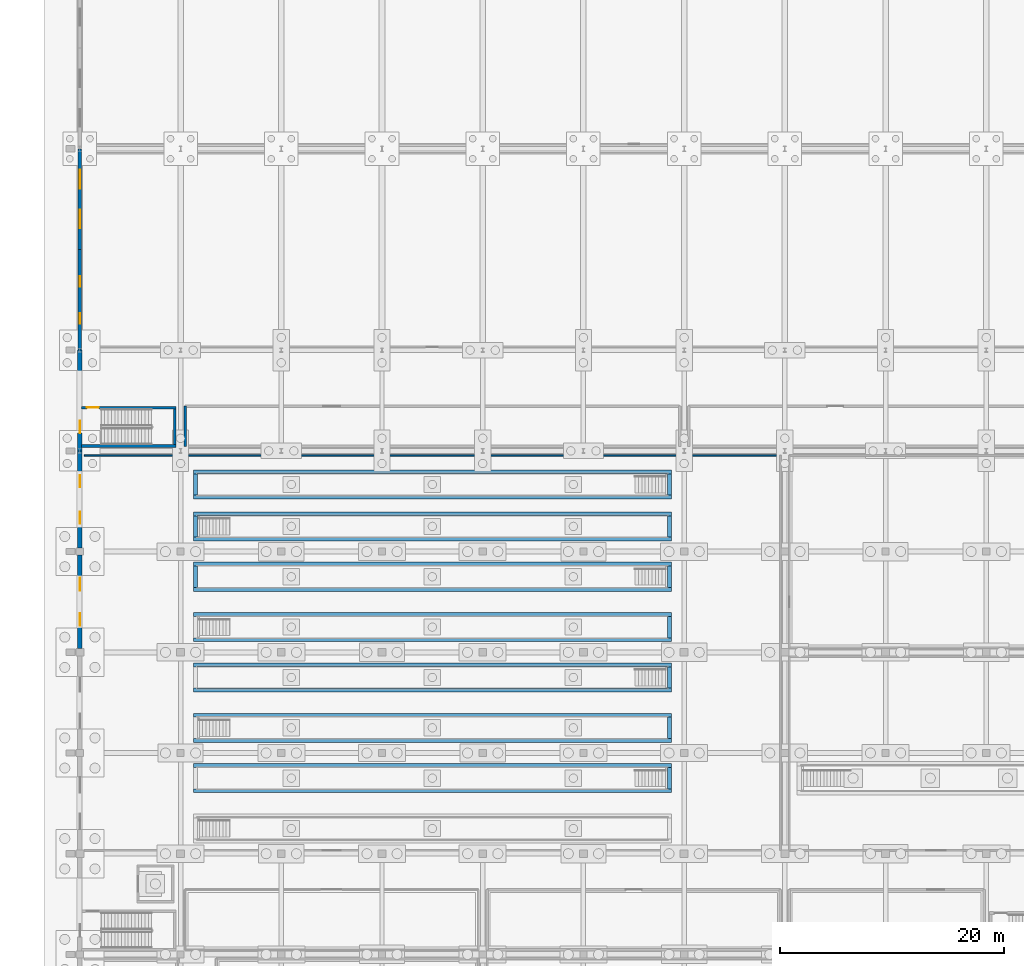
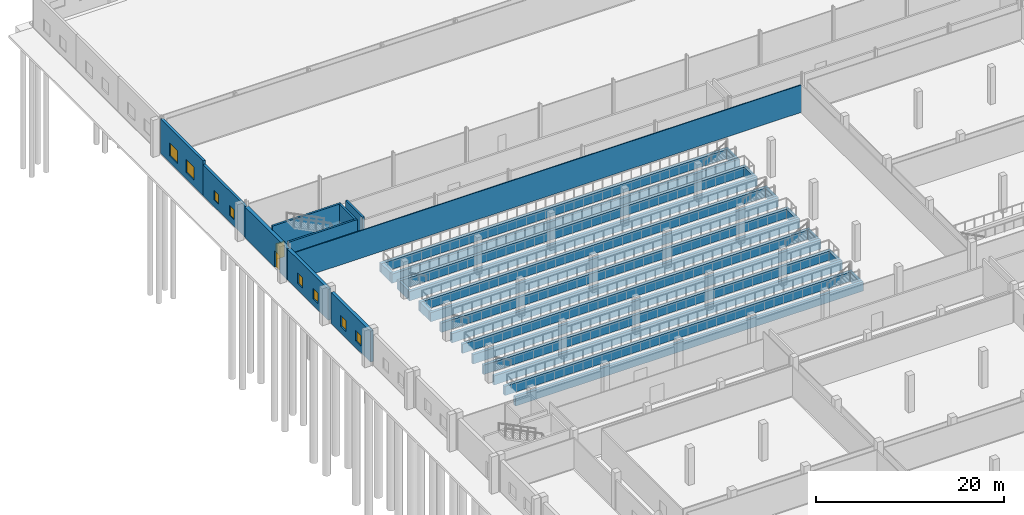
# One storey, part 68 of 112: 34 walls, 8 windows, 2 doors, 10 openings.
"""IFC4 building model written with IfcOpenShell, lengths in metres."""

from ifc_helpers import new_model, si_unit, direction, frame, frame_2d, origin, place, context, subcontext, project, spatial, rectangle, extrude, material, layer, layer_set, type_object, element, fill, save


model = new_model("IFC4")

# Units and contexts
model_context = context("Model", 3, precision=1e-05, world=origin(), true_north=direction((0.0, 1.0)))
body_context = subcontext(model_context, "Body", "Model", "MODEL_VIEW")
ifc_project = project(units=[si_unit("LENGTHUNIT", "METRE"), si_unit("AREAUNIT", "SQUARE_METRE"), si_unit("VOLUMEUNIT", "CUBIC_METRE"), si_unit("PLANEANGLEUNIT", "RADIAN"), si_unit("MASSUNIT", "GRAM", prefix="KILO")], contexts=[model_context])

# Site, building, storey
site_placement = place(None, origin())
site = spatial("IfcSite", under=ifc_project, at=site_placement, CompositionType="ELEMENT")
building_placement = place(site_placement, origin())
building = spatial("IfcBuilding", under=site, at=building_placement, Name="Tharagai Park Tramway Depot", CompositionType="ELEMENT")
storey_placement = place(building_placement, origin())
storey = spatial("IfcBuildingStorey", under=building, at=storey_placement, Name="L00", CompositionType="ELEMENT", Elevation=0.0)

# Wall, openings, windows
ifc_material_1 = material(Name="Charnockite stone", Category="masonry")
ifc_layer_1 = layer(ifc_material_1, 0.3798828125)
ifc_layer_set_1 = layer_set([ifc_layer_1], Name="Charnockite stone")
wall_type_1 = type_object("IfcWallType", Name="EW-01", PredefinedType="SOLIDWALL", material=ifc_layer_set_1)
wall_1_placement = place(storey_placement, frame((0.0, 72.347900390625, 0.0), z_axis=(0.0, 0.0, 1.0), x_axis=(0.0, 1.0, 0.0)))
wall_1 = element("IfcWall", 1, at=wall_1_placement, inside=storey, type_object=wall_type_1, Name="L00 V2 Exterior Masonry Wall EW-01", PredefinedType="SOLIDWALL", context=body_context, shape_type="SweptSolid", body=[
    extrude(rectangle(XDim=8.3291015625, YDim=0.3798828125, at=frame_2d((4.16455078125, 0.0))), origin(), (0.0, 0.0, 1.0), 4.011962890625),
])
opening_1_placement = place(wall_1_placement, frame((2.0029296875, 0.0, 0.85009765625)))
opening_1 = element("IfcOpeningElement", 2, at=opening_1_placement, cuts=wall_1, Name="Opening WN-42", PredefinedType="OPENING", context=body_context, shape_type="SweptSolid", body=[
    extrude(rectangle(XDim=1.159912109375, YDim=1.39990234375, at=frame_2d((0.580078125, 0.699951171875))), frame((0.0, 0.199951171875, 0.0), z_axis=(0.0, -1.0, 0.0), x_axis=(1.0, 0.0, 0.0)), (0.0, 0.0, 1.0), 0.39990234375),
])
opening_2_placement = place(wall_1_placement, frame((5.166015625, 0.0, 0.85009765625)))
opening_2 = element("IfcOpeningElement", 3, at=opening_2_placement, cuts=wall_1, Name="Opening WN-42", PredefinedType="OPENING", context=body_context, shape_type="SweptSolid", body=[
    extrude(rectangle(XDim=1.159912109375, YDim=1.39990234375, at=frame_2d((0.580078125, 0.699951171875))), frame((0.0, 0.199951171875, 0.0), z_axis=(0.0, -1.0, 0.0), x_axis=(1.0, 0.0, 0.0)), (0.0, 0.0, 1.0), 0.39990234375),
])
ifc_material_2 = material(Name="Laminated solar-control glass", Category="glass")
window_type_1 = type_object("IfcWindowType", Name="WN-42", PartitioningType="SINGLE_PANEL", PredefinedType="WINDOW", material=ifc_material_2)
window_1_placement = place(opening_1_placement, origin())
window_1 = element("IfcWindow", 4, at=window_1_placement, inside=storey, type_object=window_type_1, Name="L00 V2 Side Lancet Window WN-42", OverallHeight=1.39990234375, OverallWidth=1.159912109375, PartitioningType="SINGLE_PANEL", PredefinedType="WINDOW", context=body_context, shape_type="SweptSolid", body=[
    extrude(rectangle(XDim=1.159912109375, YDim=1.39990234375, at=frame_2d((0.580078125, 0.699951171875))), frame((0.0, 0.030029296875, 0.0), z_axis=(0.0, -1.0, 0.0), x_axis=(1.0, 0.0, 0.0)), (0.0, 0.0, 1.0), 0.06005859375),
])
fill(opening_1, window_1)
window_2_placement = place(opening_2_placement, origin())
window_2 = element("IfcWindow", 5, at=window_2_placement, inside=storey, type_object=window_type_1, Name="L00 V2 Side Lancet Window WN-42", OverallHeight=1.39990234375, OverallWidth=1.159912109375, PartitioningType="SINGLE_PANEL", PredefinedType="WINDOW", context=body_context, shape_type="SweptSolid", body=[
    extrude(rectangle(XDim=1.159912109375, YDim=1.39990234375, at=frame_2d((0.580078125, 0.699951171875))), frame((0.0, 0.030029296875, 0.0), z_axis=(0.0, -1.0, 0.0), x_axis=(1.0, 0.0, 0.0)), (0.0, 0.0, 1.0), 0.06005859375),
])
fill(opening_2, window_2)

wall_2_placement = place(storey_placement, frame((0.0, 81.322998046875, 0.0), z_axis=(0.0, 0.0, 1.0), x_axis=(0.0, 1.0, 0.0)))
wall_2 = element("IfcWall", 6, at=wall_2_placement, inside=storey, type_object=wall_type_1, Name="L00 V2 Exterior Masonry Wall EW-01", PredefinedType="SOLIDWALL", context=body_context, shape_type="SweptSolid", body=[
    extrude(rectangle(XDim=8.673095703125, YDim=0.3798828125, at=frame_2d((4.33642578125, 0.0))), origin(), (0.0, 0.0, 1.0), 4.011962890625),
])
opening_3_placement = place(wall_2_placement, frame((2.18408203125, 0.0, 0.85009765625)))
opening_3 = element("IfcOpeningElement", 7, at=opening_3_placement, cuts=wall_2, Name="Opening WN-54", PredefinedType="OPENING", context=body_context, shape_type="SweptSolid", body=[
    extrude(rectangle(XDim=1.06005859375, YDim=1.35009765625, at=frame_2d((0.530029296875, 0.675048828125))), frame((0.0, 0.199951171875, 0.0), z_axis=(0.0, -1.0, 0.0), x_axis=(1.0, 0.0, 0.0)), (0.0, 0.0, 1.0), 0.39990234375),
])
opening_4_placement = place(wall_2_placement, frame((5.428955078125, 0.0, 0.85009765625)))
opening_4 = element("IfcOpeningElement", 8, at=opening_4_placement, cuts=wall_2, Name="Opening WN-54", PredefinedType="OPENING", context=body_context, shape_type="SweptSolid", body=[
    extrude(rectangle(XDim=1.06005859375, YDim=1.35009765625, at=frame_2d((0.530029296875, 0.675048828125))), frame((0.0, 0.199951171875, 0.0), z_axis=(0.0, -1.0, 0.0), x_axis=(1.0, 0.0, 0.0)), (0.0, 0.0, 1.0), 0.39990234375),
])
window_type_2 = type_object("IfcWindowType", Name="WN-54", PartitioningType="SINGLE_PANEL", PredefinedType="WINDOW", material=ifc_material_2)
window_3_placement = place(opening_3_placement, origin())
window_3 = element("IfcWindow", 9, at=window_3_placement, inside=storey, type_object=window_type_2, Name="L00 V2 Side Lancet Window WN-54", OverallHeight=1.35009765625, OverallWidth=1.06005859375, PartitioningType="SINGLE_PANEL", PredefinedType="WINDOW", context=body_context, shape_type="SweptSolid", body=[
    extrude(rectangle(XDim=1.06005859375, YDim=1.35009765625, at=frame_2d((0.530029296875, 0.675048828125))), frame((0.0, 0.030029296875, 0.0), z_axis=(0.0, -1.0, 0.0), x_axis=(1.0, 0.0, 0.0)), (0.0, 0.0, 1.0), 0.06005859375),
])
fill(opening_3, window_3)
window_4_placement = place(opening_4_placement, origin())
window_4 = element("IfcWindow", 10, at=window_4_placement, inside=storey, type_object=window_type_2, Name="L00 V2 Side Lancet Window WN-54", OverallHeight=1.35009765625, OverallWidth=1.06005859375, PartitioningType="SINGLE_PANEL", PredefinedType="WINDOW", context=body_context, shape_type="SweptSolid", body=[
    extrude(rectangle(XDim=1.06005859375, YDim=1.35009765625, at=frame_2d((0.530029296875, 0.675048828125))), frame((0.0, 0.030029296875, 0.0), z_axis=(0.0, -1.0, 0.0), x_axis=(1.0, 0.0, 0.0)), (0.0, 0.0, 1.0), 0.06005859375),
])
fill(opening_4, window_4)

# Wall, opening, door
ifc_layer_2 = layer(ifc_material_1, 0.419921875)
ifc_layer_set_2 = layer_set([ifc_layer_2], Name="Charnockite stone")
wall_type_2 = type_object("IfcWallType", Name="EW-07", PredefinedType="SOLIDWALL", material=ifc_layer_set_2)
wall_3_placement = place(storey_placement, frame((0.0, 90.00390625, 0.0), z_axis=(0.0, 0.0, 1.0), x_axis=(0.0, 1.0, 0.0)))
wall_3 = element("IfcWall", 11, at=wall_3_placement, inside=storey, type_object=wall_type_2, Name="L00 V1 Exterior Masonry Wall EW-07", PredefinedType="SOLIDWALL", context=body_context, shape_type="SweptSolid", body=[
    extrude(rectangle(XDim=8.9921875, YDim=0.419921875, at=frame_2d((4.49609375, 0.0))), origin(), (0.0, 0.0, 1.0), 4.011962890625),
])
opening_5_placement = place(wall_3_placement, frame((1.575927734375, 0.0, 0.0)))
opening_5 = element("IfcOpeningElement", 12, at=opening_5_placement, cuts=wall_3, Name="Opening ED-08", PredefinedType="OPENING", context=body_context, shape_type="SweptSolid", body=[
    extrude(rectangle(XDim=1.1201171875, YDim=2.139892578125, at=frame_2d((0.56005859375, 1.06982421875))), frame((0.0, 0.219970703125, 0.0), z_axis=(0.0, -1.0, 0.0), x_axis=(1.0, 0.0, 0.0)), (0.0, 0.0, 1.0), 0.43994140625),
])
ifc_material_3 = material(Name="Anodised aluminium", Category="aluminium")
door_type_1 = type_object("IfcDoorType", Name="ED-08", OperationType="NOTDEFINED", PredefinedType="DOOR", material=ifc_material_3)
door_1_placement = place(opening_5_placement, origin())
door_1 = element("IfcDoor", 13, at=door_1_placement, inside=storey, type_object=door_type_1, Name="Core C10 Final Exit Door", OperationType="SINGLE_SWING_LEFT", OverallHeight=2.139892578125, OverallWidth=1.1201171875, PredefinedType="DOOR", context=body_context, shape_type="SweptSolid", body=[
    extrude(rectangle(XDim=1.1201171875, YDim=2.139892578125, at=frame_2d((0.56005859375, 1.06982421875))), frame((0.0, 0.02490234375, 0.0), z_axis=(0.0, -1.0, 0.0), x_axis=(1.0, 0.0, 0.0)), (0.0, 0.0, 1.0), 0.050048828125),
])
fill(opening_5, door_1)

# Wall, openings, windows
ifc_material_4 = material(Name="Pressed clay brick", Category="masonry")
ifc_layer_3 = layer(ifc_material_4, 0.300048828125)
ifc_layer_set_3 = layer_set([ifc_layer_3], Name="Pressed clay brick")
wall_type_3 = type_object("IfcWallType", Name="EW-08", PredefinedType="SOLIDWALL", material=ifc_layer_set_3)
wall_4_placement = place(storey_placement, frame((0.0, 99.00390625, 0.0), z_axis=(0.0, 0.0, 1.0), x_axis=(0.0, 1.0, 0.0)))
wall_4 = element("IfcWall", 14, at=wall_4_placement, inside=storey, type_object=wall_type_3, Name="L00 V1 Exterior Masonry Wall EW-08", PredefinedType="SOLIDWALL", context=body_context, shape_type="SweptSolid", body=[
    extrude(rectangle(XDim=8.99609375, YDim=0.300048828125, at=frame_2d((4.498046875, 0.0))), origin(), (0.0, 0.0, 1.0), 4.011962890625),
])
opening_6_placement = place(wall_4_placement, frame((2.3720703125, 0.0, 0.85009765625)))
opening_6 = element("IfcOpeningElement", 15, at=opening_6_placement, cuts=wall_4, Name="Opening WN-45", PredefinedType="OPENING", context=body_context, shape_type="SweptSolid", body=[
    extrude(rectangle(XDim=0.93994140625, YDim=1.280029296875, at=frame_2d((0.469970703125, 0.64013671875))), frame((0.0, 0.159912109375, 0.0), z_axis=(0.0, -1.0, 0.0), x_axis=(1.0, 0.0, 0.0)), (0.0, 0.0, 1.0), 0.320068359375),
])
opening_7_placement = place(wall_4_placement, frame((5.68408203125, 0.0, 0.85009765625)))
opening_7 = element("IfcOpeningElement", 16, at=opening_7_placement, cuts=wall_4, Name="Opening WN-45", PredefinedType="OPENING", context=body_context, shape_type="SweptSolid", body=[
    extrude(rectangle(XDim=0.93994140625, YDim=1.280029296875, at=frame_2d((0.469970703125, 0.64013671875))), frame((0.0, 0.159912109375, 0.0), z_axis=(0.0, -1.0, 0.0), x_axis=(1.0, 0.0, 0.0)), (0.0, 0.0, 1.0), 0.320068359375),
])
window_type_3 = type_object("IfcWindowType", Name="WN-45", PartitioningType="SINGLE_PANEL", PredefinedType="WINDOW", material=ifc_material_2)
window_5_placement = place(opening_6_placement, origin())
window_5 = element("IfcWindow", 17, at=window_5_placement, inside=storey, type_object=window_type_3, Name="L00 V1 Side Lancet Window WN-45", OverallHeight=1.280029296875, OverallWidth=0.93994140625, PartitioningType="SINGLE_PANEL", PredefinedType="WINDOW", context=body_context, shape_type="SweptSolid", body=[
    extrude(rectangle(XDim=0.93994140625, YDim=1.280029296875, at=frame_2d((0.469970703125, 0.64013671875))), frame((0.0, 0.030029296875, 0.0), z_axis=(0.0, -1.0, 0.0), x_axis=(1.0, 0.0, 0.0)), (0.0, 0.0, 1.0), 0.06005859375),
])
fill(opening_6, window_5)
window_6_placement = place(opening_7_placement, origin())
window_6 = element("IfcWindow", 18, at=window_6_placement, inside=storey, type_object=window_type_3, Name="L00 V1 Side Lancet Window WN-45", OverallHeight=1.280029296875, OverallWidth=0.93994140625, PartitioningType="SINGLE_PANEL", PredefinedType="WINDOW", context=body_context, shape_type="SweptSolid", body=[
    extrude(rectangle(XDim=0.93994140625, YDim=1.280029296875, at=frame_2d((0.469970703125, 0.64013671875))), frame((0.0, 0.030029296875, 0.0), z_axis=(0.0, -1.0, 0.0), x_axis=(1.0, 0.0, 0.0)), (0.0, 0.0, 1.0), 0.06005859375),
])
fill(opening_7, window_6)

wall_5_placement = place(storey_placement, frame((0.0, 108.0, 0.0), z_axis=(0.0, 0.0, 1.0), x_axis=(0.0, 1.0, 0.0)))
wall_5 = element("IfcWall", 19, at=wall_5_placement, inside=storey, type_object=wall_type_3, Name="L00 V1 Exterior Masonry Wall EW-08", PredefinedType="SOLIDWALL", context=body_context, shape_type="SweptSolid", body=[
    extrude(rectangle(XDim=8.99609375, YDim=0.300048828125, at=frame_2d((4.498046875, 0.0))), origin(), (0.0, 0.0, 1.0), 4.491943359375),
])
opening_8_placement = place(wall_5_placement, frame((1.87890625, 0.0, 0.85009765625)))
opening_8 = element("IfcOpeningElement", 20, at=opening_8_placement, cuts=wall_5, Name="Opening WN-38", PredefinedType="OPENING", context=body_context, shape_type="SweptSolid", body=[
    extrude(rectangle(XDim=1.679931640625, YDim=1.659912109375, at=frame_2d((0.83984375, 0.830078125))), frame((0.0, 0.159912109375, 0.0), z_axis=(0.0, -1.0, 0.0), x_axis=(1.0, 0.0, 0.0)), (0.0, 0.0, 1.0), 0.320068359375),
])
opening_9_placement = place(wall_5_placement, frame((5.43701171875, 0.0, 0.85009765625)))
opening_9 = element("IfcOpeningElement", 21, at=opening_9_placement, cuts=wall_5, Name="Opening WN-38", PredefinedType="OPENING", context=body_context, shape_type="SweptSolid", body=[
    extrude(rectangle(XDim=1.679931640625, YDim=1.659912109375, at=frame_2d((0.83984375, 0.830078125))), frame((0.0, 0.159912109375, 0.0), z_axis=(0.0, -1.0, 0.0), x_axis=(1.0, 0.0, 0.0)), (0.0, 0.0, 1.0), 0.320068359375),
])
window_type_4 = type_object("IfcWindowType", Name="WN-38", PartitioningType="SINGLE_PANEL", PredefinedType="WINDOW", material=ifc_material_2)
window_7_placement = place(opening_8_placement, origin())
window_7 = element("IfcWindow", 22, at=window_7_placement, inside=storey, type_object=window_type_4, Name="L00 V1 Side Lancet Window WN-38", OverallHeight=1.659912109375, OverallWidth=1.679931640625, PartitioningType="SINGLE_PANEL", PredefinedType="WINDOW", context=body_context, shape_type="SweptSolid", body=[
    extrude(rectangle(XDim=1.679931640625, YDim=1.659912109375, at=frame_2d((0.83984375, 0.830078125))), frame((0.0, 0.030029296875, 0.0), z_axis=(0.0, -1.0, 0.0), x_axis=(1.0, 0.0, 0.0)), (0.0, 0.0, 1.0), 0.06005859375),
])
fill(opening_8, window_7)
window_8_placement = place(opening_9_placement, origin())
window_8 = element("IfcWindow", 23, at=window_8_placement, inside=storey, type_object=window_type_4, Name="L00 V1 Side Lancet Window WN-38", OverallHeight=1.659912109375, OverallWidth=1.679931640625, PartitioningType="SINGLE_PANEL", PredefinedType="WINDOW", context=body_context, shape_type="SweptSolid", body=[
    extrude(rectangle(XDim=1.679931640625, YDim=1.659912109375, at=frame_2d((0.83984375, 0.830078125))), frame((0.0, 0.030029296875, 0.0), z_axis=(0.0, -1.0, 0.0), x_axis=(1.0, 0.0, 0.0)), (0.0, 0.0, 1.0), 0.06005859375),
])
fill(opening_9, window_8)

# Walls
ifc_material_5 = material(Name="Gypsum board", Category="gypsum")
ifc_layer_4 = layer(ifc_material_5, 0.1201171875)
ifc_layer_set_4 = layer_set([ifc_layer_4], Name="Gypsum board")
wall_type_4 = type_object("IfcWallType", Name="IW-03", PredefinedType="PARTITIONING", material=ifc_layer_set_4)
wall_6_placement = place(storey_placement, frame((0.39990234375, 89.60009765625, 0.0), z_axis=(0.0, 0.0, 1.0), x_axis=(1.0, 0.0, 0.0)))
element("IfcWall", 24, at=wall_6_placement, inside=storey, type_object=wall_type_4, Name="Maintenance Hall and Inspection Pit Bays Partition North", PredefinedType="PARTITIONING", context=body_context, shape_type="SweptSolid", body=[
    extrude(rectangle(XDim=62.2001953125, YDim=0.1201171875, at=frame_2d((31.10009765625, 0.0))), origin(), (0.0, 0.0, 1.0), 3.56494140625),
])
ifc_layer_5 = layer(ifc_material_4, 0.219970703125)
ifc_layer_set_5 = layer_set([ifc_layer_5], Name="Pressed clay brick")
wall_type_5 = type_object("IfcWallType", Name="IW-05", PredefinedType="SOLIDWALL", material=ifc_layer_set_5)
wall_7_placement = place(storey_placement, frame((9.39990234375, 90.39990234375, 0.0), z_axis=(0.0, 0.0, 1.0), x_axis=(0.0, 1.0, 0.0)))
element("IfcWall", 25, at=wall_7_placement, inside=storey, type_object=wall_type_5, Name="Electric Bus Opportunity Charging Hall West Partition West", PredefinedType="SOLIDWALL", context=body_context, shape_type="SweptSolid", body=[
    extrude(rectangle(XDim=3.60009765625, YDim=0.219970703125, at=frame_2d((1.800048828125, 0.0))), origin(), (0.0, 0.0, 1.0), 4.550048828125),
])
ifc_material_6 = material(Name="Concrete M40", Category="concrete")
ifc_layer_6 = layer(ifc_material_6, 0.35009765625)
ifc_layer_set_6 = layer_set([ifc_layer_6], Name="Concrete M40")
wall_type_6 = type_object("IfcWallType", Name="PW-02", PredefinedType="SOLIDWALL", material=ifc_layer_set_6)
for number, where, z_axis, x_axis, name in (
    (26, (10.14990234375, 59.625, -1.5), (0.0, 0.0, 1.0), (1.0, 0.0, 0.0), "Inspection Pit Track 2 Retaining Wall S"),
    (27, (10.14990234375, 61.875, -1.5), (0.0, 0.0, 1.0), (1.0, 0.0, 0.0), "Inspection Pit Track 2 Retaining Wall N"),
):
    element("IfcWall", number, at=place(storey_placement, frame(where, z_axis=z_axis, x_axis=x_axis)), inside=storey, type_object=wall_type_6, Name=name, PredefinedType="SOLIDWALL", context=body_context, shape_type="SweptSolid", body=[
        extrude(rectangle(XDim=42.7001953125, YDim=0.35009765625, at=frame_2d((21.35009765625, 0.0))), origin(), (0.0, 0.0, 1.0), 1.199951171875),
    ])
wall_8_placement = place(storey_placement, frame((52.675048828125, 59.800048828125, -1.5), z_axis=(0.0, 0.0, 1.0), x_axis=(0.0, 1.0, 0.0)))
element("IfcWall", 28, at=wall_8_placement, inside=storey, type_object=wall_type_6, Name="Inspection Pit Track 2 Retaining Wall E", PredefinedType="SOLIDWALL", context=body_context, shape_type="SweptSolid", body=[
    extrude(rectangle(XDim=1.89990234375, YDim=0.35009765625, at=frame_2d((0.949951171875, 0.0))), origin(), (0.0, 0.0, 1.0), 1.199951171875),
])
for number, where, z_axis, x_axis, name in (
    (29, (10.14990234375, 64.125, -1.5), (0.0, 0.0, 1.0), (1.0, 0.0, 0.0), "Inspection Pit Track 3 Retaining Wall S"),
    (30, (10.14990234375, 66.375, -1.5), (0.0, 0.0, 1.0), (1.0, 0.0, 0.0), "Inspection Pit Track 3 Retaining Wall N"),
):
    element("IfcWall", number, at=place(storey_placement, frame(where, z_axis=z_axis, x_axis=x_axis)), inside=storey, type_object=wall_type_6, Name=name, PredefinedType="SOLIDWALL", context=body_context, shape_type="SweptSolid", body=[
        extrude(rectangle(XDim=42.7001953125, YDim=0.35009765625, at=frame_2d((21.35009765625, 0.0))), origin(), (0.0, 0.0, 1.0), 1.199951171875),
    ])
wall_9_placement = place(storey_placement, frame((52.675048828125, 64.300048828125, -1.5), z_axis=(0.0, 0.0, 1.0), x_axis=(0.0, 1.0, 0.0)))
element("IfcWall", 31, at=wall_9_placement, inside=storey, type_object=wall_type_6, Name="Inspection Pit Track 3 Retaining Wall E", PredefinedType="SOLIDWALL", context=body_context, shape_type="SweptSolid", body=[
    extrude(rectangle(XDim=1.89990234375, YDim=0.35009765625, at=frame_2d((0.949951171875, 0.0))), origin(), (0.0, 0.0, 1.0), 1.199951171875),
])
for number, where, z_axis, x_axis, name in (
    (32, (10.14990234375, 68.625, -1.5), (0.0, 0.0, 1.0), (1.0, 0.0, 0.0), "Inspection Pit Track 4 Retaining Wall S"),
    (33, (10.14990234375, 70.875, -1.5), (0.0, 0.0, 1.0), (1.0, 0.0, 0.0), "Inspection Pit Track 4 Retaining Wall N"),
):
    element("IfcWall", number, at=place(storey_placement, frame(where, z_axis=z_axis, x_axis=x_axis)), inside=storey, type_object=wall_type_6, Name=name, PredefinedType="SOLIDWALL", context=body_context, shape_type="SweptSolid", body=[
        extrude(rectangle(XDim=42.7001953125, YDim=0.35009765625, at=frame_2d((21.35009765625, 0.0))), origin(), (0.0, 0.0, 1.0), 1.199951171875),
    ])
wall_10_placement = place(storey_placement, frame((52.675048828125, 68.800048828125, -1.5), z_axis=(0.0, 0.0, 1.0), x_axis=(0.0, 1.0, 0.0)))
element("IfcWall", 34, at=wall_10_placement, inside=storey, type_object=wall_type_6, Name="Inspection Pit Track 4 Retaining Wall E", PredefinedType="SOLIDWALL", context=body_context, shape_type="SweptSolid", body=[
    extrude(rectangle(XDim=1.89990234375, YDim=0.35009765625, at=frame_2d((0.949951171875, 0.0))), origin(), (0.0, 0.0, 1.0), 1.199951171875),
])
for number, where, z_axis, x_axis, name in (
    (35, (10.14990234375, 73.125, -1.5), (0.0, 0.0, 1.0), (1.0, 0.0, 0.0), "Inspection Pit Track 5 Retaining Wall S"),
    (36, (10.14990234375, 75.375, -1.5), (0.0, 0.0, 1.0), (1.0, 0.0, 0.0), "Inspection Pit Track 5 Retaining Wall N"),
):
    element("IfcWall", number, at=place(storey_placement, frame(where, z_axis=z_axis, x_axis=x_axis)), inside=storey, type_object=wall_type_6, Name=name, PredefinedType="SOLIDWALL", context=body_context, shape_type="SweptSolid", body=[
        extrude(rectangle(XDim=42.7001953125, YDim=0.35009765625, at=frame_2d((21.35009765625, 0.0))), origin(), (0.0, 0.0, 1.0), 1.199951171875),
    ])
wall_11_placement = place(storey_placement, frame((52.675048828125, 73.300048828125, -1.5), z_axis=(0.0, 0.0, 1.0), x_axis=(0.0, 1.0, 0.0)))
element("IfcWall", 37, at=wall_11_placement, inside=storey, type_object=wall_type_6, Name="Inspection Pit Track 5 Retaining Wall E", PredefinedType="SOLIDWALL", context=body_context, shape_type="SweptSolid", body=[
    extrude(rectangle(XDim=1.89990234375, YDim=0.35009765625, at=frame_2d((0.949951171875, 0.0))), origin(), (0.0, 0.0, 1.0), 1.199951171875),
])
for number, where, z_axis, x_axis, name in (
    (38, (10.14990234375, 77.625, -1.5), (0.0, 0.0, 1.0), (1.0, 0.0, 0.0), "Inspection Pit Track 6 Retaining Wall S"),
    (39, (10.14990234375, 79.875, -1.5), (0.0, 0.0, 1.0), (1.0, 0.0, 0.0), "Inspection Pit Track 6 Retaining Wall N"),
):
    element("IfcWall", number, at=place(storey_placement, frame(where, z_axis=z_axis, x_axis=x_axis)), inside=storey, type_object=wall_type_6, Name=name, PredefinedType="SOLIDWALL", context=body_context, shape_type="SweptSolid", body=[
        extrude(rectangle(XDim=42.7001953125, YDim=0.35009765625, at=frame_2d((21.35009765625, 0.0))), origin(), (0.0, 0.0, 1.0), 1.199951171875),
    ])
for number, where, z_axis, x_axis, name in (
    (40, (10.324951171875, 77.800048828125, -1.5), (0.0, 0.0, 1.0), (0.0, 1.0, 0.0), "Inspection Pit Track 6 Retaining Wall W"),
    (41, (52.675048828125, 77.800048828125, -1.5), (0.0, 0.0, 1.0), (0.0, 1.0, 0.0), "Inspection Pit Track 6 Retaining Wall E"),
):
    element("IfcWall", number, at=place(storey_placement, frame(where, z_axis=z_axis, x_axis=x_axis)), inside=storey, type_object=wall_type_6, Name=name, PredefinedType="SOLIDWALL", context=body_context, shape_type="SweptSolid", body=[
        extrude(rectangle(XDim=1.89990234375, YDim=0.35009765625, at=frame_2d((0.949951171875, 0.0))), origin(), (0.0, 0.0, 1.0), 1.199951171875),
    ])
for number, where, z_axis, x_axis, name in (
    (42, (10.14990234375, 82.125, -1.5), (0.0, 0.0, 1.0), (1.0, 0.0, 0.0), "Inspection Pit Track 7 Retaining Wall S"),
    (43, (10.14990234375, 84.375, -1.5), (0.0, 0.0, 1.0), (1.0, 0.0, 0.0), "Inspection Pit Track 7 Retaining Wall N"),
):
    element("IfcWall", number, at=place(storey_placement, frame(where, z_axis=z_axis, x_axis=x_axis)), inside=storey, type_object=wall_type_6, Name=name, PredefinedType="SOLIDWALL", context=body_context, shape_type="SweptSolid", body=[
        extrude(rectangle(XDim=42.7001953125, YDim=0.35009765625, at=frame_2d((21.35009765625, 0.0))), origin(), (0.0, 0.0, 1.0), 1.199951171875),
    ])
for number, where, z_axis, x_axis, name in (
    (44, (10.324951171875, 82.300048828125, -1.5), (0.0, 0.0, 1.0), (0.0, 1.0, 0.0), "Inspection Pit Track 7 Retaining Wall W"),
    (45, (52.675048828125, 82.300048828125, -1.5), (0.0, 0.0, 1.0), (0.0, 1.0, 0.0), "Inspection Pit Track 7 Retaining Wall E"),
):
    element("IfcWall", number, at=place(storey_placement, frame(where, z_axis=z_axis, x_axis=x_axis)), inside=storey, type_object=wall_type_6, Name=name, PredefinedType="SOLIDWALL", context=body_context, shape_type="SweptSolid", body=[
        extrude(rectangle(XDim=1.89990234375, YDim=0.35009765625, at=frame_2d((0.949951171875, 0.0))), origin(), (0.0, 0.0, 1.0), 1.199951171875),
    ])
for number, where, z_axis, x_axis, name in (
    (46, (10.14990234375, 85.875, -1.5), (0.0, 0.0, 1.0), (1.0, 0.0, 0.0), "Inspection Pit Track 8 Retaining Wall S"),
    (47, (10.14990234375, 88.125, -1.5), (0.0, 0.0, 1.0), (1.0, 0.0, 0.0), "Inspection Pit Track 8 Retaining Wall N"),
):
    element("IfcWall", number, at=place(storey_placement, frame(where, z_axis=z_axis, x_axis=x_axis)), inside=storey, type_object=wall_type_6, Name=name, PredefinedType="SOLIDWALL", context=body_context, shape_type="SweptSolid", body=[
        extrude(rectangle(XDim=42.7001953125, YDim=0.35009765625, at=frame_2d((21.35009765625, 0.0))), origin(), (0.0, 0.0, 1.0), 1.199951171875),
    ])
for number, where, z_axis, x_axis, name in (
    (48, (10.324951171875, 86.050048828125, -1.5), (0.0, 0.0, 1.0), (0.0, 1.0, 0.0), "Inspection Pit Track 8 Retaining Wall W"),
    (49, (52.675048828125, 86.050048828125, -1.5), (0.0, 0.0, 1.0), (0.0, 1.0, 0.0), "Inspection Pit Track 8 Retaining Wall E"),
):
    element("IfcWall", number, at=place(storey_placement, frame(where, z_axis=z_axis, x_axis=x_axis)), inside=storey, type_object=wall_type_6, Name=name, PredefinedType="SOLIDWALL", context=body_context, shape_type="SweptSolid", body=[
        extrude(rectangle(XDim=1.89990234375, YDim=0.35009765625, at=frame_2d((0.949951171875, 0.0))), origin(), (0.0, 0.0, 1.0), 1.199951171875),
    ])
ifc_layer_7 = layer(ifc_material_6, 0.239990234375)
ifc_layer_set_7 = layer_set([ifc_layer_7], Name="Concrete M40")
wall_type_7 = type_object("IfcWallType", Name="SW-01", PredefinedType="SHEAR", material=ifc_layer_set_7)
wall_12_placement = place(storey_placement, frame((0.159912109375, 90.429931640625, 0.0), z_axis=(0.0, 0.0, 1.0), x_axis=(1.0, 0.0, 0.0)))
element("IfcWall", 50, at=wall_12_placement, inside=storey, type_object=wall_type_7, Name="Core C10 L00 Shear Wall South", PredefinedType="SHEAR", context=body_context, shape_type="SweptSolid", body=[
    extrude(rectangle(XDim=8.440185546875, YDim=0.239990234375, at=frame_2d((4.22021484375, 0.0))), origin(), (0.0, 0.0, 1.0), 4.550048828125),
])

# Wall, opening, door
wall_13_placement = place(storey_placement, frame((0.159912109375, 93.860107421875, 0.0), z_axis=(0.0, 0.0, 1.0), x_axis=(1.0, 0.0, 0.0)))
wall_13 = element("IfcWall", 51, at=wall_13_placement, inside=storey, type_object=wall_type_7, Name="Core C10 L00 Shear Wall North", PredefinedType="SHEAR", context=body_context, shape_type="SweptSolid", body=[
    extrude(rectangle(XDim=8.440185546875, YDim=0.239990234375, at=frame_2d((4.22021484375, 0.0))), origin(), (0.0, 0.0, 1.0), 4.550048828125),
])
opening_10_placement = place(wall_13_placement, frame((0.4599609375, 0.0, 0.0)))
opening_10 = element("IfcOpeningElement", 52, at=opening_10_placement, cuts=wall_13, Name="Opening ID-05", PredefinedType="OPENING", context=body_context, shape_type="SweptSolid", body=[
    extrude(rectangle(XDim=1.080078125, YDim=2.080078125, at=frame_2d((0.5400390625, 1.0400390625))), frame((0.0, 0.1298828125, 0.0), z_axis=(0.0, -1.0, 0.0), x_axis=(1.0, 0.0, 0.0)), (0.0, 0.0, 1.0), 0.260009765625),
])
ifc_material_7 = material(Name="Galvanised steel", Category="steel")
door_type_2 = type_object("IfcDoorType", Name="ID-05", OperationType="NOTDEFINED", PredefinedType="DOOR", material=ifc_material_7)
door_2_placement = place(opening_10_placement, origin())
door_2 = element("IfcDoor", 53, at=door_2_placement, inside=storey, type_object=door_type_2, Name="Stair ST-10 L00 Fire Door", OperationType="SINGLE_SWING_LEFT", OverallHeight=2.080078125, OverallWidth=1.080078125, PredefinedType="DOOR", context=body_context, shape_type="SweptSolid", body=[
    extrude(rectangle(XDim=1.080078125, YDim=2.080078125, at=frame_2d((0.5400390625, 1.0400390625))), frame((0.0, 0.02490234375, 0.0), z_axis=(0.0, -1.0, 0.0), x_axis=(1.0, 0.0, 0.0)), (0.0, 0.0, 1.0), 0.050048828125),
])
fill(opening_10, door_2)

# Wall
wall_14_placement = place(storey_placement, frame((8.47998046875, 90.550048828125, 0.0), z_axis=(0.0, 0.0, 1.0), x_axis=(0.0, 1.0, 0.0)))
element("IfcWall", 54, at=wall_14_placement, inside=storey, type_object=wall_type_7, Name="Core C10 L00 Shear Wall East", PredefinedType="SHEAR", context=body_context, shape_type="SweptSolid", body=[
    extrude(rectangle(XDim=3.18994140625, YDim=0.239990234375, at=frame_2d((1.594970703125, 0.0))), origin(), (0.0, 0.0, 1.0), 4.550048828125),
])

save(model, "model.ifc")
